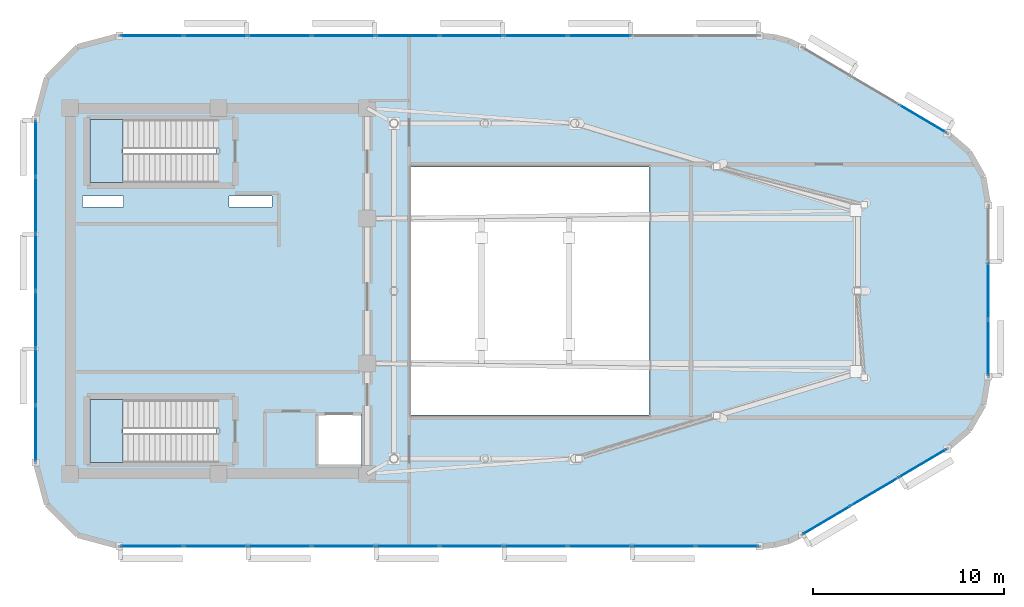
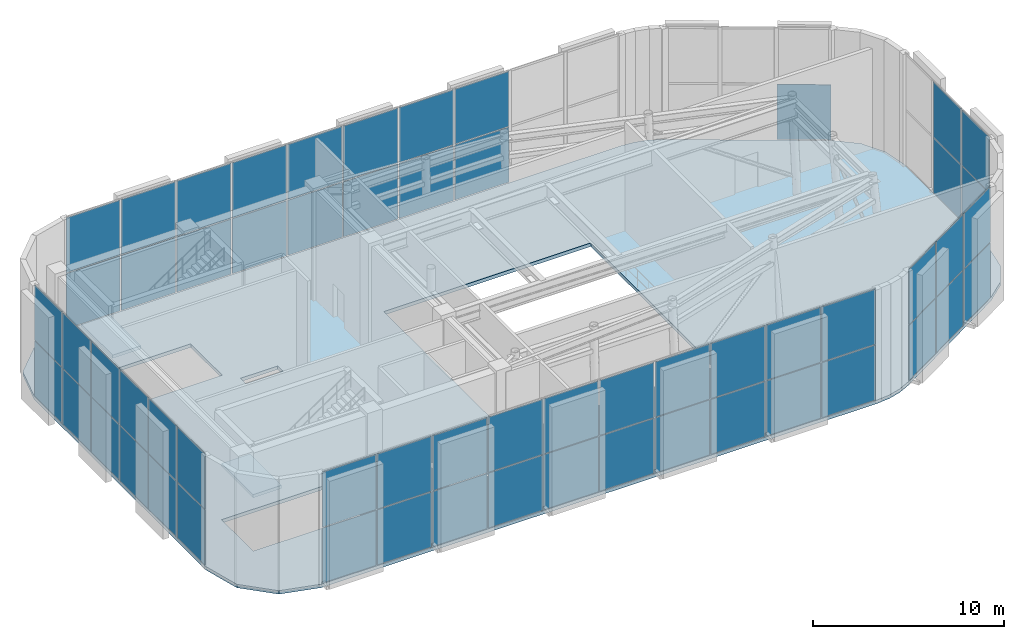
# One storey, part 16 of 20: 59 plates, 3 slabs, 8 elements without a shape of their own.
"""IFC4 building model written with IfcOpenShell, lengths in metres."""

import ifcopenshell
import ifcopenshell.guid

model = None  # the IFC model being written
_history = None  # IfcOwnerHistory: only IFC2X3 demands one
_inside = {}  # id of a spatial element -> (the spatial element, [elements in it])
_under = {}  # id of a project, library or spatial element -> (it, [spatial elements below it])
_declared = {}  # id of a project -> (the project, [libraries it declares])
_typed = {}  # id of a type object -> (the type object, [elements of that type])
_made_of = {}  # id of a material, layer set ... -> (it, [elements and type objects made of it])


def new_model(schema):
    """Start an empty IFC model of exactly this schema.

    Asked for "IFC4X3", IfcOpenShell would pick the latest addendum, in which some entities
    have other attributes; the version numbers below select the first issue.
    IFC2X3 requires an IfcOwnerHistory on every rooted entity: one is made here for all.
    """
    global model, _history
    if schema == "IFC4X3":
        model = ifcopenshell.file(schema_version=(4, 3, 0, 0))
    else:
        model = ifcopenshell.file(schema=schema)
    _inside.clear()
    _under.clear()
    _declared.clear()
    _typed.clear()
    _made_of.clear()
    _history = None
    if model.schema == "IFC2X3":
        org = make("IfcOrganization", Name="unknown")
        user = make(
            "IfcPersonAndOrganization",
            ThePerson=make("IfcPerson", FamilyName="unknown"),
            TheOrganization=org,
        )
        app = make(
            "IfcApplication",
            ApplicationDeveloper=org,
            Version="unknown",
            ApplicationFullName="unknown",
            ApplicationIdentifier="unknown",
        )
        _history = make(
            "IfcOwnerHistory",
            OwningUser=user,
            OwningApplication=app,
            ChangeAction="ADDED",
            CreationDate=0,
        )
    return model


def make(cls, **values):
    """One entity of the class cls with the attributes given. An attribute that is None is left unset."""
    return model.create_entity(
        cls, **{name: value for name, value in values.items() if value is not None}
    )


def rooted(cls, **values):
    """An entity with a GlobalId (a new one), such as an element, a storey or a relation."""
    return make(cls, GlobalId=ifcopenshell.guid.new(), OwnerHistory=_history, **values)


def si_unit(unit_type, name, prefix=None):
    """IfcSIUnit, for example si_unit("LENGTHUNIT", "METRE", prefix="MILLI")."""
    return make("IfcSIUnit", UnitType=unit_type, Prefix=prefix, Name=name)


def assignment(units):
    """IfcUnitAssignment: the units of a project."""
    return None if units is None else make("IfcUnitAssignment", Units=units)


def point(xyz):
    """IfcCartesianPoint."""
    return None if xyz is None else make("IfcCartesianPoint", Coordinates=xyz)


def direction(xyz):
    """IfcDirection."""
    return None if xyz is None else make("IfcDirection", DirectionRatios=xyz)


def frame(location, z_axis=None, x_axis=None):
    """IfcAxis2Placement3D, a coordinate frame: its origin and axes. An axis left out is left unset."""
    return make(
        "IfcAxis2Placement3D",
        Location=point(location),
        Axis=direction(z_axis),
        RefDirection=direction(x_axis),
    )


def frame_2d(location, x_axis=None):
    """IfcAxis2Placement2D, a coordinate frame in the plane: its origin and x axis."""
    return make(
        "IfcAxis2Placement2D", Location=point(location), RefDirection=direction(x_axis)
    )


def origin():
    """The frame at (0, 0, 0) with its axes left unset."""
    return frame((0.0, 0.0, 0.0))


def origin_2d():
    """The frame at (0, 0) in the plane with its x axis left unset."""
    return frame_2d((0.0, 0.0))


def place(relative_to, where):
    """IfcLocalPlacement: puts the frame where relative to a parent placement (None: the world)."""
    return make(
        "IfcLocalPlacement", PlacementRelTo=relative_to, RelativePlacement=where
    )


def context(
    kind, dimensions, precision=None, world=None, true_north=None, identifier=None
):
    """IfcGeometricRepresentationContext, for example the 3D "Model" context."""
    return make(
        "IfcGeometricRepresentationContext",
        ContextIdentifier=identifier,
        ContextType=kind,
        CoordinateSpaceDimension=dimensions,
        Precision=precision,
        WorldCoordinateSystem=world,
        TrueNorth=true_north,
    )


def subcontext(parent, identifier, kind, view, scale=None):
    """IfcGeometricRepresentationSubContext, for example "Body" below "Model"."""
    return make(
        "IfcGeometricRepresentationSubContext",
        ContextIdentifier=identifier,
        ContextType=kind,
        ParentContext=parent,
        TargetScale=scale,
        TargetView=view,
    )


def project(units=None, contexts=None):
    """IfcProject with its units and contexts."""
    return rooted(
        "IfcProject",
        Name="project",
        RepresentationContexts=contexts,
        UnitsInContext=assignment(units),
    )


def spatial(cls, under=None, at=None, **own):
    """A site, building, storey or space (cls), placed at a placement, below another one or the project."""
    s = rooted(cls, ObjectPlacement=at, **own)
    if under is not None:
        _under.setdefault(under.id(), (under, []))[1].append(s)
    return s


def polyline(points):
    """IfcPolyline through the points."""
    return make("IfcPolyline", Points=[point(p) for p in points])


def profile(cls, at=None, kind="AREA", **sizes):
    """A parametric profile (cls). Its sizes go by their IFC names, for example OverallWidth=200.0."""
    return make(cls, ProfileType=kind, Position=at, **sizes)


def rectangle(**sizes):
    """IfcRectangleProfileDef."""
    return profile("IfcRectangleProfileDef", **sizes)


def outline(outer, holes=None, kind="AREA"):
    """IfcArbitraryClosedProfileDef: a profile drawn as a closed curve; with holes, ...WithVoids."""
    if holes is None:
        return make("IfcArbitraryClosedProfileDef", ProfileType=kind, OuterCurve=outer)
    return make(
        "IfcArbitraryProfileDefWithVoids",
        ProfileType=kind,
        OuterCurve=outer,
        InnerCurves=holes,
    )


def extrude(swept, where, along, depth):
    """IfcExtrudedAreaSolid: the profile swept, set in the frame where, extruded along a direction by depth."""
    return make(
        "IfcExtrudedAreaSolid",
        SweptArea=swept,
        Position=where,
        ExtrudedDirection=direction(along),
        Depth=depth,
    )


def shape(context_of_items, identifier, shape_type, items):
    """IfcShapeRepresentation: the items that make up one representation, for example the "Body"."""
    return make(
        "IfcShapeRepresentation",
        ContextOfItems=context_of_items,
        RepresentationIdentifier=identifier,
        RepresentationType=shape_type,
        Items=items,
    )


def material(Name=None, Category=None):
    """IfcMaterial."""
    return make("IfcMaterial", Name=Name, Category=Category)


def layer(
    of_material, thickness, ventilated=None, Name=None, Category=None, Priority=None
):
    """IfcMaterialLayer: one layer of a wall or slab, of a material (None: an air gap)."""
    return make(
        "IfcMaterialLayer",
        Material=of_material,
        LayerThickness=thickness,
        IsVentilated=ventilated,
        Name=Name,
        Category=Category,
        Priority=Priority,
    )


def layer_set(layers, Name=None):
    """IfcMaterialLayerSet."""
    return make("IfcMaterialLayerSet", MaterialLayers=layers, LayerSetName=Name)


def made_of(thing, what):
    """Note that an element or type object is made of a material, layer set ...; save() writes the relation."""
    if what is not None:
        _made_of.setdefault(what.id(), (what, []))[1].append(thing)
    return thing


def type_object(cls, material=None, **own):
    """A type object (cls), such as IfcWallType, which elements share."""
    return made_of(rooted(cls, **own), material)


def element(
    cls,
    number,
    at=None,
    inside=None,
    cuts=None,
    type_object=None,
    material=None,
    context=None,
    identifier="Body",
    shape_type=None,
    held_by="IfcProductDefinitionShape",
    body=None,
    shapes=None,
    **own,
):
    """One element of the class cls, such as IfcWall. Its Tag is "e" and its number.

    at: its placement. inside: the storey or other place that contains it. cuts: it is an
    opening in that element (IfcRelVoidsElement). A single representation is given by context,
    identifier, shape_type and body (its items); several are given by shapes. held_by: the class
    of the entity that holds the representations. save() writes the other relations.
    """
    e = rooted(cls, Tag="e%d" % number, ObjectPlacement=at, **own)
    if body is not None:
        shapes = [shape(context, identifier, shape_type, body)]
    if shapes is not None:
        e.Representation = make(held_by, Representations=shapes)
    if inside is not None:
        _inside.setdefault(inside.id(), (inside, []))[1].append(e)
    if cuts is not None:
        rooted(
            "IfcRelVoidsElement", RelatingBuildingElement=cuts, RelatedOpeningElement=e
        )
    if type_object is not None:
        _typed.setdefault(type_object.id(), (type_object, []))[1].append(e)
    return made_of(e, material)


def aggregate(whole, parts):
    """IfcRelAggregates: a whole, such as a stair, and the parts it consists of."""
    return rooted("IfcRelAggregates", RelatingObject=whole, RelatedObjects=parts)


def save(model, path):
    """Write the relations noted so far, then the file.

    IfcRelAggregates (storeys below a building ...), IfcRelContainedInSpatialStructure (elements
    in a storey), IfcRelDefinesByType, IfcRelAssociatesMaterial and IfcRelDeclares: one each for
    every whole, place, type object, material and project.
    """
    for whole, parts in _under.values():
        aggregate(whole, parts)
    for where, things in _inside.values():
        rooted(
            "IfcRelContainedInSpatialStructure",
            RelatedElements=things,
            RelatingStructure=where,
        )
    for kind, things in _typed.values():
        rooted("IfcRelDefinesByType", RelatedObjects=things, RelatingType=kind)
    for what, things in _made_of.values():
        rooted("IfcRelAssociatesMaterial", RelatedObjects=things, RelatingMaterial=what)
    for by, libraries in _declared.values():
        rooted("IfcRelDeclares", RelatingContext=by, RelatedDefinitions=libraries)
    model.write(path)


model = new_model("IFC4")

# Units and contexts
model_context = context("Model", 3, precision=1e-05, world=origin(), true_north=direction((0.0, 1.0)))
body_context = subcontext(model_context, "Body", "Model", "MODEL_VIEW")
ifc_project = project(units=[si_unit("LENGTHUNIT", "METRE"), si_unit("AREAUNIT", "SQUARE_METRE"), si_unit("VOLUMEUNIT", "CUBIC_METRE"), si_unit("PLANEANGLEUNIT", "RADIAN"), si_unit("MASSUNIT", "GRAM", prefix="KILO")], contexts=[model_context])

# Site, building, storey
site_placement = place(None, origin())
site = spatial("IfcSite", under=ifc_project, at=site_placement, CompositionType="ELEMENT")
building_placement = place(site_placement, origin())
building = spatial("IfcBuilding", under=site, at=building_placement, Name="An Khanh Terracotta Commons", CompositionType="ELEMENT")
storey_placement = place(building_placement, frame((0.0, 0.0, 308.0)))
storey = spatial("IfcBuildingStorey", under=building, at=storey_placement, Name="L79 Crown Damper Gallery", CompositionType="ELEMENT", Elevation=308.0)

# Curtain wall, plates
ifc_material_1 = material(Name="Anodised Aluminium 6063-T6", Category="aluminium")
ifc_layer_1 = layer(ifc_material_1, 0.25, Name="Anodised Aluminium 6063-T6")
ifc_layer_set_1 = layer_set([ifc_layer_1], Name="Anodised Aluminium 6063-T6")
curtain_wall_type = type_object("IfcCurtainWallType", Name="CW-SYS-05", PredefinedType="USERDEFINED", material=ifc_layer_set_1)
curtain_wall_1_placement = place(storey_placement, origin())
curtain_wall_1 = element("IfcCurtainWall", 1, at=curtain_wall_1_placement, inside=storey, type_object=curtain_wall_type, Name="L79 Crown Damper Gallery CW-05 Unitised Curtain Wall CW-L79-04", ObjectType="UNITISED CURTAIN WALL", PredefinedType="USERDEFINED")
ifc_material_2 = material(Name="Translucent Backlit Opal Insulated Glass", Category="glass")
ifc_layer_2 = layer(ifc_material_2, 0.0439453125, Name="Translucent Backlit Opal Insulated Glass")
ifc_layer_set_2 = layer_set([ifc_layer_2], Name="Translucent Backlit Opal Insulated Glass")
plate_type = type_object("IfcPlateType", Name="CWP-OPAL-44", PredefinedType="CURTAIN_PANEL", material=ifc_layer_set_2)
plate_1_placement = place(storey_placement, frame((25.899658203125, 10.60009765625, 0.06005859375), z_axis=(0.0, 0.0, 1.0), x_axis=(1.0, 0.0, 0.0)))
plate_1 = element("IfcPlate", 2, at=plate_1_placement, type_object=plate_type, Name="CW-05 panel 1.1", PredefinedType="CURTAIN_PANEL", context=body_context, shape_type="SweptSolid", body=[
    extrude(rectangle(XDim=3.239501953125, YDim=0.0439453125, at=origin_2d()), origin(), (0.0, 0.0, 1.0), 3.510009765625),
])
plate_2_placement = place(storey_placement, frame((25.899658203125, 10.60009765625, 3.6298828125), z_axis=(0.0, 0.0, 1.0), x_axis=(1.0, 0.0, 0.0)))
plate_2 = element("IfcPlate", 3, at=plate_2_placement, type_object=plate_type, Name="CW-05 panel 1.2", PredefinedType="CURTAIN_PANEL", context=body_context, shape_type="SweptSolid", body=[
    extrude(rectangle(XDim=3.239501953125, YDim=0.0439453125, at=origin_2d()), origin(), (0.0, 0.0, 1.0), 3.510009765625),
])
plate_3_placement = place(storey_placement, frame((29.239013671875, 10.60009765625, 0.06005859375), z_axis=(0.0, 0.0, 1.0), x_axis=(1.0, 0.0, 0.0)))
plate_3 = element("IfcPlate", 4, at=plate_3_placement, type_object=plate_type, Name="CW-05 panel 2.1", PredefinedType="CURTAIN_PANEL", context=body_context, shape_type="SweptSolid", body=[
    extrude(rectangle(XDim=3.279296875, YDim=0.0439453125, at=origin_2d()), origin(), (0.0, 0.0, 1.0), 3.510009765625),
])
plate_4_placement = place(storey_placement, frame((29.239013671875, 10.60009765625, 3.6298828125), z_axis=(0.0, 0.0, 1.0), x_axis=(1.0, 0.0, 0.0)))
plate_4 = element("IfcPlate", 5, at=plate_4_placement, type_object=plate_type, Name="CW-05 panel 2.2", PredefinedType="CURTAIN_PANEL", context=body_context, shape_type="SweptSolid", body=[
    extrude(rectangle(XDim=3.279296875, YDim=0.0439453125, at=origin_2d()), origin(), (0.0, 0.0, 1.0), 3.510009765625),
])
plate_5_placement = place(storey_placement, frame((32.598388671875, 10.60009765625, 0.06005859375), z_axis=(0.0, 0.0, 1.0), x_axis=(1.0, 0.0, 0.0)))
plate_5 = element("IfcPlate", 6, at=plate_5_placement, type_object=plate_type, Name="CW-05 panel 3.1", PredefinedType="CURTAIN_PANEL", context=body_context, shape_type="SweptSolid", body=[
    extrude(rectangle(XDim=3.279296875, YDim=0.0439453125, at=origin_2d()), origin(), (0.0, 0.0, 1.0), 3.510009765625),
])
plate_6_placement = place(storey_placement, frame((32.598388671875, 10.60009765625, 3.6298828125), z_axis=(0.0, 0.0, 1.0), x_axis=(1.0, 0.0, 0.0)))
plate_6 = element("IfcPlate", 7, at=plate_6_placement, type_object=plate_type, Name="CW-05 panel 3.2", PredefinedType="CURTAIN_PANEL", context=body_context, shape_type="SweptSolid", body=[
    extrude(rectangle(XDim=3.279296875, YDim=0.0439453125, at=origin_2d()), origin(), (0.0, 0.0, 1.0), 3.510009765625),
])
plate_7_placement = place(storey_placement, frame((35.9580078125, 10.60009765625, 0.06005859375), z_axis=(0.0, 0.0, 1.0), x_axis=(1.0, 0.0, 0.0)))
plate_7 = element("IfcPlate", 8, at=plate_7_placement, type_object=plate_type, Name="CW-05 panel 4.1", PredefinedType="CURTAIN_PANEL", context=body_context, shape_type="SweptSolid", body=[
    extrude(rectangle(XDim=3.279296875, YDim=0.0439453125, at=origin_2d()), origin(), (0.0, 0.0, 1.0), 3.510009765625),
])
plate_8_placement = place(storey_placement, frame((35.9580078125, 10.60009765625, 3.6298828125), z_axis=(0.0, 0.0, 1.0), x_axis=(1.0, 0.0, 0.0)))
plate_8 = element("IfcPlate", 9, at=plate_8_placement, type_object=plate_type, Name="CW-05 panel 4.2", PredefinedType="CURTAIN_PANEL", context=body_context, shape_type="SweptSolid", body=[
    extrude(rectangle(XDim=3.279296875, YDim=0.0439453125, at=origin_2d()), origin(), (0.0, 0.0, 1.0), 3.510009765625),
])
plate_9_placement = place(storey_placement, frame((39.3173828125, 10.60009765625, 0.06005859375), z_axis=(0.0, 0.0, 1.0), x_axis=(1.0, 0.0, 0.0)))
plate_9 = element("IfcPlate", 10, at=plate_9_placement, type_object=plate_type, Name="CW-05 panel 5.1", PredefinedType="CURTAIN_PANEL", context=body_context, shape_type="SweptSolid", body=[
    extrude(rectangle(XDim=3.279296875, YDim=0.0439453125, at=origin_2d()), origin(), (0.0, 0.0, 1.0), 3.510009765625),
])
plate_10_placement = place(storey_placement, frame((39.3173828125, 10.60009765625, 3.6298828125), z_axis=(0.0, 0.0, 1.0), x_axis=(1.0, 0.0, 0.0)))
plate_10 = element("IfcPlate", 11, at=plate_10_placement, type_object=plate_type, Name="CW-05 panel 5.2", PredefinedType="CURTAIN_PANEL", context=body_context, shape_type="SweptSolid", body=[
    extrude(rectangle(XDim=3.279296875, YDim=0.0439453125, at=origin_2d()), origin(), (0.0, 0.0, 1.0), 3.510009765625),
])
plate_11_placement = place(storey_placement, frame((42.6767578125, 10.60009765625, 0.06005859375), z_axis=(0.0, 0.0, 1.0), x_axis=(1.0, 0.0, 0.0)))
plate_11 = element("IfcPlate", 12, at=plate_11_placement, type_object=plate_type, Name="CW-05 panel 6.1", PredefinedType="CURTAIN_PANEL", context=body_context, shape_type="SweptSolid", body=[
    extrude(rectangle(XDim=3.279296875, YDim=0.0439453125, at=origin_2d()), origin(), (0.0, 0.0, 1.0), 3.510009765625),
])
plate_12_placement = place(storey_placement, frame((42.6767578125, 10.60009765625, 3.6298828125), z_axis=(0.0, 0.0, 1.0), x_axis=(1.0, 0.0, 0.0)))
plate_12 = element("IfcPlate", 13, at=plate_12_placement, type_object=plate_type, Name="CW-05 panel 6.2", PredefinedType="CURTAIN_PANEL", context=body_context, shape_type="SweptSolid", body=[
    extrude(rectangle(XDim=3.279296875, YDim=0.0439453125, at=origin_2d()), origin(), (0.0, 0.0, 1.0), 3.510009765625),
])
plate_13_placement = place(storey_placement, frame((46.0361328125, 10.60009765625, 0.06005859375), z_axis=(0.0, 0.0, 1.0), x_axis=(1.0, 0.0, 0.0)))
plate_13 = element("IfcPlate", 14, at=plate_13_placement, type_object=plate_type, Name="CW-05 panel 7.1", PredefinedType="CURTAIN_PANEL", context=body_context, shape_type="SweptSolid", body=[
    extrude(rectangle(XDim=3.279296875, YDim=0.0439453125, at=origin_2d()), origin(), (0.0, 0.0, 1.0), 3.510009765625),
])
plate_14_placement = place(storey_placement, frame((46.0361328125, 10.60009765625, 3.6298828125), z_axis=(0.0, 0.0, 1.0), x_axis=(1.0, 0.0, 0.0)))
plate_14 = element("IfcPlate", 15, at=plate_14_placement, type_object=plate_type, Name="CW-05 panel 7.2", PredefinedType="CURTAIN_PANEL", context=body_context, shape_type="SweptSolid", body=[
    extrude(rectangle(XDim=3.279296875, YDim=0.0439453125, at=origin_2d()), origin(), (0.0, 0.0, 1.0), 3.510009765625),
])
plate_15_placement = place(storey_placement, frame((49.3955078125, 10.60009765625, 0.06005859375), z_axis=(0.0, 0.0, 1.0), x_axis=(1.0, 0.0, 0.0)))
plate_15 = element("IfcPlate", 16, at=plate_15_placement, type_object=plate_type, Name="CW-05 panel 8.1", PredefinedType="CURTAIN_PANEL", context=body_context, shape_type="SweptSolid", body=[
    extrude(rectangle(XDim=3.279296875, YDim=0.0439453125, at=origin_2d()), origin(), (0.0, 0.0, 1.0), 3.510009765625),
])
plate_16_placement = place(storey_placement, frame((49.3955078125, 10.60009765625, 3.6298828125), z_axis=(0.0, 0.0, 1.0), x_axis=(1.0, 0.0, 0.0)))
plate_16 = element("IfcPlate", 17, at=plate_16_placement, type_object=plate_type, Name="CW-05 panel 8.2", PredefinedType="CURTAIN_PANEL", context=body_context, shape_type="SweptSolid", body=[
    extrude(rectangle(XDim=3.279296875, YDim=0.0439453125, at=origin_2d()), origin(), (0.0, 0.0, 1.0), 3.510009765625),
])
plate_17_placement = place(storey_placement, frame((52.7548828125, 10.60009765625, 0.06005859375), z_axis=(0.0, 0.0, 1.0), x_axis=(1.0, 0.0, 0.0)))
plate_17 = element("IfcPlate", 18, at=plate_17_placement, type_object=plate_type, Name="CW-05 panel 9.1", PredefinedType="CURTAIN_PANEL", context=body_context, shape_type="SweptSolid", body=[
    extrude(rectangle(XDim=3.279296875, YDim=0.0439453125, at=origin_2d()), origin(), (0.0, 0.0, 1.0), 3.510009765625),
])
plate_18_placement = place(storey_placement, frame((52.7548828125, 10.60009765625, 3.6298828125), z_axis=(0.0, 0.0, 1.0), x_axis=(1.0, 0.0, 0.0)))
plate_18 = element("IfcPlate", 19, at=plate_18_placement, type_object=plate_type, Name="CW-05 panel 9.2", PredefinedType="CURTAIN_PANEL", context=body_context, shape_type="SweptSolid", body=[
    extrude(rectangle(XDim=3.279296875, YDim=0.0439453125, at=origin_2d()), origin(), (0.0, 0.0, 1.0), 3.510009765625),
])
plate_19_placement = place(storey_placement, frame((56.09423828125, 10.60009765625, 0.06005859375), z_axis=(0.0, 0.0, 1.0), x_axis=(1.0, 0.0, 0.0)))
plate_19 = element("IfcPlate", 20, at=plate_19_placement, type_object=plate_type, Name="CW-05 panel 10.1", PredefinedType="CURTAIN_PANEL", context=body_context, shape_type="SweptSolid", body=[
    extrude(rectangle(XDim=3.239501953125, YDim=0.0439453125, at=origin_2d()), origin(), (0.0, 0.0, 1.0), 3.510009765625),
])
plate_20_placement = place(storey_placement, frame((56.09423828125, 10.60009765625, 3.6298828125), z_axis=(0.0, 0.0, 1.0), x_axis=(1.0, 0.0, 0.0)))
plate_20 = element("IfcPlate", 21, at=plate_20_placement, type_object=plate_type, Name="CW-05 panel 10.2", PredefinedType="CURTAIN_PANEL", context=body_context, shape_type="SweptSolid", body=[
    extrude(rectangle(XDim=3.239501953125, YDim=0.0439453125, at=origin_2d()), origin(), (0.0, 0.0, 1.0), 3.510009765625),
])
aggregate(curtain_wall_1, [plate_1, plate_2, plate_3, plate_4, plate_5, plate_6, plate_7, plate_8, plate_9, plate_10, plate_11, plate_12, plate_13, plate_14, plate_15, plate_16, plate_17, plate_18, plate_19, plate_20])

curtain_wall_2_placement = place(storey_placement, origin())
curtain_wall_2 = element("IfcCurtainWall", 22, at=curtain_wall_2_placement, inside=storey, type_object=curtain_wall_type, Name="L79 Crown Damper Gallery CW-05 Unitised Curtain Wall CW-L79-08", ObjectType="UNITISED CURTAIN WALL", PredefinedType="USERDEFINED")
plate_21_placement = place(storey_placement, frame((61.32177734375, 11.976318359375, 0.06005859375), z_axis=(0.0, 0.0, 1.0), x_axis=(0.860304394443, 0.509780687063, 0.0)))
plate_21 = element("IfcPlate", 23, at=plate_21_placement, type_object=plate_type, Name="CW-05 panel 1.1", PredefinedType="CURTAIN_PANEL", context=body_context, shape_type="SweptSolid", body=[
    extrude(rectangle(XDim=2.826904296875, YDim=0.0439453125, at=origin_2d()), origin(), (0.0, 0.0, 1.0), 3.510009765625),
])
plate_22_placement = place(storey_placement, frame((61.32177734375, 11.976318359375, 3.6298828125), z_axis=(0.0, 0.0, 1.0), x_axis=(0.860304394443, 0.509780687063, 0.0)))
plate_22 = element("IfcPlate", 24, at=plate_22_placement, type_object=plate_type, Name="CW-05 panel 1.2", PredefinedType="CURTAIN_PANEL", context=body_context, shape_type="SweptSolid", body=[
    extrude(rectangle(XDim=2.826904296875, YDim=0.0439453125, at=origin_2d()), origin(), (0.0, 0.0, 1.0), 3.510009765625),
])
plate_23_placement = place(storey_placement, frame((63.840087890625, 13.468505859375, 0.06005859375), z_axis=(0.0, 0.0, 1.0), x_axis=(0.860304394443, 0.509780687063, 0.0)))
plate_23 = element("IfcPlate", 25, at=plate_23_placement, type_object=plate_type, Name="CW-05 panel 2.1", PredefinedType="CURTAIN_PANEL", context=body_context, shape_type="SweptSolid", body=[
    extrude(rectangle(XDim=2.866943359375, YDim=0.0439453125, at=origin_2d()), origin(), (0.0, 0.0, 1.0), 3.510009765625),
])
plate_24_placement = place(storey_placement, frame((63.840087890625, 13.468505859375, 3.6298828125), z_axis=(0.0, 0.0, 1.0), x_axis=(0.860304394443, 0.509780687063, 0.0)))
plate_24 = element("IfcPlate", 26, at=plate_24_placement, type_object=plate_type, Name="CW-05 panel 2.2", PredefinedType="CURTAIN_PANEL", context=body_context, shape_type="SweptSolid", body=[
    extrude(rectangle(XDim=2.866943359375, YDim=0.0439453125, at=origin_2d()), origin(), (0.0, 0.0, 1.0), 3.510009765625),
])
plate_25_placement = place(storey_placement, frame((66.358154296875, 14.960693359375, 0.06005859375), z_axis=(0.0, 0.0, 1.0), x_axis=(0.860304394443, 0.509780687063, 0.0)))
plate_25 = element("IfcPlate", 27, at=plate_25_placement, type_object=plate_type, Name="CW-05 panel 3.1", PredefinedType="CURTAIN_PANEL", context=body_context, shape_type="SweptSolid", body=[
    extrude(rectangle(XDim=2.826904296875, YDim=0.0439453125, at=origin_2d()), origin(), (0.0, 0.0, 1.0), 3.510009765625),
])
plate_26_placement = place(storey_placement, frame((66.358154296875, 14.960693359375, 3.6298828125), z_axis=(0.0, 0.0, 1.0), x_axis=(0.860304394443, 0.509780687063, 0.0)))
plate_26 = element("IfcPlate", 28, at=plate_26_placement, type_object=plate_type, Name="CW-05 panel 3.2", PredefinedType="CURTAIN_PANEL", context=body_context, shape_type="SweptSolid", body=[
    extrude(rectangle(XDim=2.826904296875, YDim=0.0439453125, at=origin_2d()), origin(), (0.0, 0.0, 1.0), 3.510009765625),
])
aggregate(curtain_wall_2, [plate_21, plate_22, plate_23, plate_24, plate_25, plate_26])

curtain_wall_3_placement = place(storey_placement, origin())
curtain_wall_3 = element("IfcCurtainWall", 29, at=curtain_wall_3_placement, inside=storey, type_object=curtain_wall_type, Name="L79 Crown Damper Gallery CW-05 Unitised Curtain Wall CW-L79-12", ObjectType="UNITISED CURTAIN WALL", PredefinedType="USERDEFINED")
plate_27_placement = place(storey_placement, frame((69.800048828125, 21.024658203125, 0.06005859375), z_axis=(0.0, 0.0, 1.0), x_axis=(0.0, 1.0, 0.0)))
plate_27 = element("IfcPlate", 30, at=plate_27_placement, type_object=plate_type, Name="CW-05 panel 1.1", PredefinedType="CURTAIN_PANEL", context=body_context, shape_type="SweptSolid", body=[
    extrude(rectangle(XDim=2.875244140625, YDim=0.0439453125, at=origin_2d()), origin(), (0.0, 0.0, 1.0), 3.510009765625),
])
plate_28_placement = place(storey_placement, frame((69.800048828125, 21.024658203125, 3.6298828125), z_axis=(0.0, 0.0, 1.0), x_axis=(0.0, 1.0, 0.0)))
plate_28 = element("IfcPlate", 31, at=plate_28_placement, type_object=plate_type, Name="CW-05 panel 1.2", PredefinedType="CURTAIN_PANEL", context=body_context, shape_type="SweptSolid", body=[
    extrude(rectangle(XDim=2.875244140625, YDim=0.0439453125, at=origin_2d()), origin(), (0.0, 0.0, 1.0), 3.510009765625),
])
plate_29_placement = place(storey_placement, frame((69.800048828125, 24.0, 0.06005859375), z_axis=(0.0, 0.0, 1.0), x_axis=(0.0, 1.0, 0.0)))
plate_29 = element("IfcPlate", 32, at=plate_29_placement, type_object=plate_type, Name="CW-05 panel 2.1", PredefinedType="CURTAIN_PANEL", context=body_context, shape_type="SweptSolid", body=[
    extrude(rectangle(XDim=2.915283203125, YDim=0.0439453125, at=origin_2d()), origin(), (0.0, 0.0, 1.0), 3.510009765625),
])
plate_30_placement = place(storey_placement, frame((69.800048828125, 24.0, 3.6298828125), z_axis=(0.0, 0.0, 1.0), x_axis=(0.0, 1.0, 0.0)))
plate_30 = element("IfcPlate", 33, at=plate_30_placement, type_object=plate_type, Name="CW-05 panel 2.2", PredefinedType="CURTAIN_PANEL", context=body_context, shape_type="SweptSolid", body=[
    extrude(rectangle(XDim=2.915283203125, YDim=0.0439453125, at=origin_2d()), origin(), (0.0, 0.0, 1.0), 3.510009765625),
])
aggregate(curtain_wall_3, [plate_27, plate_28, plate_29, plate_30])

# Curtain wall, plate
curtain_wall_4_placement = place(storey_placement, origin())
curtain_wall_4 = element("IfcCurtainWall", 34, at=curtain_wall_4_placement, inside=storey, type_object=curtain_wall_type, Name="L79 Crown Damper Gallery CW-05 Unitised Curtain Wall CW-L79-16", ObjectType="UNITISED CURTAIN WALL", PredefinedType="USERDEFINED")
plate_31_placement = place(storey_placement, frame((66.358154296875, 33.039306640625, 0.06005859375), z_axis=(0.0, 0.0, 1.0), x_axis=(-0.860304394443, 0.509780687063, 0.0)))
plate_31 = element("IfcPlate", 35, at=plate_31_placement, type_object=plate_type, Name="CW-05 panel 1.1", PredefinedType="CURTAIN_PANEL", context=body_context, shape_type="SweptSolid", body=[
    extrude(rectangle(XDim=2.826904296875, YDim=0.0439453125, at=origin_2d()), origin(), (0.0, 0.0, 1.0), 3.510009765625),
])
aggregate(curtain_wall_4, [plate_31])

# Curtain wall, plates
curtain_wall_5_placement = place(storey_placement, origin())
curtain_wall_5 = element("IfcCurtainWall", 36, at=curtain_wall_5_placement, inside=storey, type_object=curtain_wall_type, Name="L79 Crown Damper Gallery CW-05 Unitised Curtain Wall CW-L79-20", ObjectType="UNITISED CURTAIN WALL", PredefinedType="USERDEFINED")
plate_32_placement = place(storey_placement, frame((49.3955078125, 37.39990234375, 0.06005859375), z_axis=(0.0, 0.0, 1.0), x_axis=(-1.0, 0.0, 0.0)))
plate_32 = element("IfcPlate", 37, at=plate_32_placement, type_object=plate_type, Name="CW-05 panel 3.1", PredefinedType="CURTAIN_PANEL", context=body_context, shape_type="SweptSolid", body=[
    extrude(rectangle(XDim=3.279296875, YDim=0.0439453125, at=origin_2d()), origin(), (0.0, 0.0, 1.0), 3.510009765625),
])
plate_33_placement = place(storey_placement, frame((49.3955078125, 37.39990234375, 3.6298828125), z_axis=(0.0, 0.0, 1.0), x_axis=(-1.0, 0.0, 0.0)))
plate_33 = element("IfcPlate", 38, at=plate_33_placement, type_object=plate_type, Name="CW-05 panel 3.2", PredefinedType="CURTAIN_PANEL", context=body_context, shape_type="SweptSolid", body=[
    extrude(rectangle(XDim=3.279296875, YDim=0.0439453125, at=origin_2d()), origin(), (0.0, 0.0, 1.0), 3.510009765625),
])
plate_34_placement = place(storey_placement, frame((46.0361328125, 37.39990234375, 0.06005859375), z_axis=(0.0, 0.0, 1.0), x_axis=(-1.0, 0.0, 0.0)))
plate_34 = element("IfcPlate", 39, at=plate_34_placement, type_object=plate_type, Name="CW-05 panel 4.1", PredefinedType="CURTAIN_PANEL", context=body_context, shape_type="SweptSolid", body=[
    extrude(rectangle(XDim=3.279296875, YDim=0.0439453125, at=origin_2d()), origin(), (0.0, 0.0, 1.0), 3.510009765625),
])
plate_35_placement = place(storey_placement, frame((46.0361328125, 37.39990234375, 3.6298828125), z_axis=(0.0, 0.0, 1.0), x_axis=(-1.0, 0.0, 0.0)))
plate_35 = element("IfcPlate", 40, at=plate_35_placement, type_object=plate_type, Name="CW-05 panel 4.2", PredefinedType="CURTAIN_PANEL", context=body_context, shape_type="SweptSolid", body=[
    extrude(rectangle(XDim=3.279296875, YDim=0.0439453125, at=origin_2d()), origin(), (0.0, 0.0, 1.0), 3.510009765625),
])
plate_36_placement = place(storey_placement, frame((42.6767578125, 37.39990234375, 0.06005859375), z_axis=(0.0, 0.0, 1.0), x_axis=(-1.0, 0.0, 0.0)))
plate_36 = element("IfcPlate", 41, at=plate_36_placement, type_object=plate_type, Name="CW-05 panel 5.1", PredefinedType="CURTAIN_PANEL", context=body_context, shape_type="SweptSolid", body=[
    extrude(rectangle(XDim=3.279296875, YDim=0.0439453125, at=origin_2d()), origin(), (0.0, 0.0, 1.0), 3.510009765625),
])
plate_37_placement = place(storey_placement, frame((42.6767578125, 37.39990234375, 3.6298828125), z_axis=(0.0, 0.0, 1.0), x_axis=(-1.0, 0.0, 0.0)))
plate_37 = element("IfcPlate", 42, at=plate_37_placement, type_object=plate_type, Name="CW-05 panel 5.2", PredefinedType="CURTAIN_PANEL", context=body_context, shape_type="SweptSolid", body=[
    extrude(rectangle(XDim=3.279296875, YDim=0.0439453125, at=origin_2d()), origin(), (0.0, 0.0, 1.0), 3.510009765625),
])
plate_38_placement = place(storey_placement, frame((39.3173828125, 37.39990234375, 0.06005859375), z_axis=(0.0, 0.0, 1.0), x_axis=(-1.0, 0.0, 0.0)))
plate_38 = element("IfcPlate", 43, at=plate_38_placement, type_object=plate_type, Name="CW-05 panel 6.1", PredefinedType="CURTAIN_PANEL", context=body_context, shape_type="SweptSolid", body=[
    extrude(rectangle(XDim=3.279296875, YDim=0.0439453125, at=origin_2d()), origin(), (0.0, 0.0, 1.0), 3.510009765625),
])
plate_39_placement = place(storey_placement, frame((39.3173828125, 37.39990234375, 3.6298828125), z_axis=(0.0, 0.0, 1.0), x_axis=(-1.0, 0.0, 0.0)))
plate_39 = element("IfcPlate", 44, at=plate_39_placement, type_object=plate_type, Name="CW-05 panel 6.2", PredefinedType="CURTAIN_PANEL", context=body_context, shape_type="SweptSolid", body=[
    extrude(rectangle(XDim=3.279296875, YDim=0.0439453125, at=origin_2d()), origin(), (0.0, 0.0, 1.0), 3.510009765625),
])
plate_40_placement = place(storey_placement, frame((35.9580078125, 37.39990234375, 0.06005859375), z_axis=(0.0, 0.0, 1.0), x_axis=(-1.0, 0.0, 0.0)))
plate_40 = element("IfcPlate", 45, at=plate_40_placement, type_object=plate_type, Name="CW-05 panel 7.1", PredefinedType="CURTAIN_PANEL", context=body_context, shape_type="SweptSolid", body=[
    extrude(rectangle(XDim=3.279296875, YDim=0.0439453125, at=origin_2d()), origin(), (0.0, 0.0, 1.0), 3.510009765625),
])
plate_41_placement = place(storey_placement, frame((35.9580078125, 37.39990234375, 3.6298828125), z_axis=(0.0, 0.0, 1.0), x_axis=(-1.0, 0.0, 0.0)))
plate_41 = element("IfcPlate", 46, at=plate_41_placement, type_object=plate_type, Name="CW-05 panel 7.2", PredefinedType="CURTAIN_PANEL", context=body_context, shape_type="SweptSolid", body=[
    extrude(rectangle(XDim=3.279296875, YDim=0.0439453125, at=origin_2d()), origin(), (0.0, 0.0, 1.0), 3.510009765625),
])
plate_42_placement = place(storey_placement, frame((32.598388671875, 37.39990234375, 0.06005859375), z_axis=(0.0, 0.0, 1.0), x_axis=(-1.0, 0.0, 0.0)))
plate_42 = element("IfcPlate", 47, at=plate_42_placement, type_object=plate_type, Name="CW-05 panel 8.1", PredefinedType="CURTAIN_PANEL", context=body_context, shape_type="SweptSolid", body=[
    extrude(rectangle(XDim=3.279296875, YDim=0.0439453125, at=origin_2d()), origin(), (0.0, 0.0, 1.0), 3.510009765625),
])
plate_43_placement = place(storey_placement, frame((32.598388671875, 37.39990234375, 3.6298828125), z_axis=(0.0, 0.0, 1.0), x_axis=(-1.0, 0.0, 0.0)))
plate_43 = element("IfcPlate", 48, at=plate_43_placement, type_object=plate_type, Name="CW-05 panel 8.2", PredefinedType="CURTAIN_PANEL", context=body_context, shape_type="SweptSolid", body=[
    extrude(rectangle(XDim=3.279296875, YDim=0.0439453125, at=origin_2d()), origin(), (0.0, 0.0, 1.0), 3.510009765625),
])
plate_44_placement = place(storey_placement, frame((29.239013671875, 37.39990234375, 0.06005859375), z_axis=(0.0, 0.0, 1.0), x_axis=(-1.0, 0.0, 0.0)))
plate_44 = element("IfcPlate", 49, at=plate_44_placement, type_object=plate_type, Name="CW-05 panel 9.1", PredefinedType="CURTAIN_PANEL", context=body_context, shape_type="SweptSolid", body=[
    extrude(rectangle(XDim=3.279296875, YDim=0.0439453125, at=origin_2d()), origin(), (0.0, 0.0, 1.0), 3.510009765625),
])
plate_45_placement = place(storey_placement, frame((29.239013671875, 37.39990234375, 3.6298828125), z_axis=(0.0, 0.0, 1.0), x_axis=(-1.0, 0.0, 0.0)))
plate_45 = element("IfcPlate", 50, at=plate_45_placement, type_object=plate_type, Name="CW-05 panel 9.2", PredefinedType="CURTAIN_PANEL", context=body_context, shape_type="SweptSolid", body=[
    extrude(rectangle(XDim=3.279296875, YDim=0.0439453125, at=origin_2d()), origin(), (0.0, 0.0, 1.0), 3.510009765625),
])
plate_46_placement = place(storey_placement, frame((25.899658203125, 37.39990234375, 0.06005859375), z_axis=(0.0, 0.0, 1.0), x_axis=(-1.0, 0.0, 0.0)))
plate_46 = element("IfcPlate", 51, at=plate_46_placement, type_object=plate_type, Name="CW-05 panel 10.1", PredefinedType="CURTAIN_PANEL", context=body_context, shape_type="SweptSolid", body=[
    extrude(rectangle(XDim=3.239501953125, YDim=0.0439453125, at=origin_2d()), origin(), (0.0, 0.0, 1.0), 3.510009765625),
])
plate_47_placement = place(storey_placement, frame((25.899658203125, 37.39990234375, 3.6298828125), z_axis=(0.0, 0.0, 1.0), x_axis=(-1.0, 0.0, 0.0)))
plate_47 = element("IfcPlate", 52, at=plate_47_placement, type_object=plate_type, Name="CW-05 panel 10.2", PredefinedType="CURTAIN_PANEL", context=body_context, shape_type="SweptSolid", body=[
    extrude(rectangle(XDim=3.239501953125, YDim=0.0439453125, at=origin_2d()), origin(), (0.0, 0.0, 1.0), 3.510009765625),
])
aggregate(curtain_wall_5, [plate_32, plate_33, plate_34, plate_35, plate_36, plate_37, plate_38, plate_39, plate_40, plate_41, plate_42, plate_43, plate_44, plate_45, plate_46, plate_47])

curtain_wall_6_placement = place(storey_placement, origin())
curtain_wall_6 = element("IfcCurtainWall", 53, at=curtain_wall_6_placement, inside=storey, type_object=curtain_wall_type, Name="L79 Crown Damper Gallery CW-05 Unitised Curtain Wall CW-L79-24", ObjectType="UNITISED CURTAIN WALL", PredefinedType="USERDEFINED")
plate_48_placement = place(storey_placement, frame((19.800048828125, 31.47998046875, 0.06005859375), z_axis=(0.0, 0.0, 1.0), x_axis=(0.0, -1.0, 0.0)))
plate_48 = element("IfcPlate", 54, at=plate_48_placement, type_object=plate_type, Name="CW-05 panel 1.1", PredefinedType="CURTAIN_PANEL", context=body_context, shape_type="SweptSolid", body=[
    extrude(rectangle(XDim=2.8798828125, YDim=0.0439453125, at=origin_2d()), origin(), (0.0, 0.0, 1.0), 3.510009765625),
])
plate_49_placement = place(storey_placement, frame((19.800048828125, 31.47998046875, 3.6298828125), z_axis=(0.0, 0.0, 1.0), x_axis=(0.0, -1.0, 0.0)))
plate_49 = element("IfcPlate", 55, at=plate_49_placement, type_object=plate_type, Name="CW-05 panel 1.2", PredefinedType="CURTAIN_PANEL", context=body_context, shape_type="SweptSolid", body=[
    extrude(rectangle(XDim=2.8798828125, YDim=0.0439453125, at=origin_2d()), origin(), (0.0, 0.0, 1.0), 3.510009765625),
])
plate_50_placement = place(storey_placement, frame((19.800048828125, 28.5, 0.06005859375), z_axis=(0.0, 0.0, 1.0), x_axis=(0.0, -1.0, 0.0)))
plate_50 = element("IfcPlate", 56, at=plate_50_placement, type_object=plate_type, Name="CW-05 panel 2.1", PredefinedType="CURTAIN_PANEL", context=body_context, shape_type="SweptSolid", body=[
    extrude(rectangle(XDim=2.919921875, YDim=0.0439453125, at=origin_2d()), origin(), (0.0, 0.0, 1.0), 3.510009765625),
])
plate_51_placement = place(storey_placement, frame((19.800048828125, 28.5, 3.6298828125), z_axis=(0.0, 0.0, 1.0), x_axis=(0.0, -1.0, 0.0)))
plate_51 = element("IfcPlate", 57, at=plate_51_placement, type_object=plate_type, Name="CW-05 panel 2.2", PredefinedType="CURTAIN_PANEL", context=body_context, shape_type="SweptSolid", body=[
    extrude(rectangle(XDim=2.919921875, YDim=0.0439453125, at=origin_2d()), origin(), (0.0, 0.0, 1.0), 3.510009765625),
])
plate_52_placement = place(storey_placement, frame((19.800048828125, 25.5, 0.06005859375), z_axis=(0.0, 0.0, 1.0), x_axis=(0.0, -1.0, 0.0)))
plate_52 = element("IfcPlate", 58, at=plate_52_placement, type_object=plate_type, Name="CW-05 panel 3.1", PredefinedType="CURTAIN_PANEL", context=body_context, shape_type="SweptSolid", body=[
    extrude(rectangle(XDim=2.919921875, YDim=0.0439453125, at=origin_2d()), origin(), (0.0, 0.0, 1.0), 3.510009765625),
])
plate_53_placement = place(storey_placement, frame((19.800048828125, 25.5, 3.6298828125), z_axis=(0.0, 0.0, 1.0), x_axis=(0.0, -1.0, 0.0)))
plate_53 = element("IfcPlate", 59, at=plate_53_placement, type_object=plate_type, Name="CW-05 panel 3.2", PredefinedType="CURTAIN_PANEL", context=body_context, shape_type="SweptSolid", body=[
    extrude(rectangle(XDim=2.919921875, YDim=0.0439453125, at=origin_2d()), origin(), (0.0, 0.0, 1.0), 3.510009765625),
])
plate_54_placement = place(storey_placement, frame((19.800048828125, 22.5, 0.06005859375), z_axis=(0.0, 0.0, 1.0), x_axis=(0.0, -1.0, 0.0)))
plate_54 = element("IfcPlate", 60, at=plate_54_placement, type_object=plate_type, Name="CW-05 panel 4.1", PredefinedType="CURTAIN_PANEL", context=body_context, shape_type="SweptSolid", body=[
    extrude(rectangle(XDim=2.919921875, YDim=0.0439453125, at=origin_2d()), origin(), (0.0, 0.0, 1.0), 3.510009765625),
])
plate_55_placement = place(storey_placement, frame((19.800048828125, 22.5, 3.6298828125), z_axis=(0.0, 0.0, 1.0), x_axis=(0.0, -1.0, 0.0)))
plate_55 = element("IfcPlate", 61, at=plate_55_placement, type_object=plate_type, Name="CW-05 panel 4.2", PredefinedType="CURTAIN_PANEL", context=body_context, shape_type="SweptSolid", body=[
    extrude(rectangle(XDim=2.919921875, YDim=0.0439453125, at=origin_2d()), origin(), (0.0, 0.0, 1.0), 3.510009765625),
])
plate_56_placement = place(storey_placement, frame((19.800048828125, 19.5, 0.06005859375), z_axis=(0.0, 0.0, 1.0), x_axis=(0.0, -1.0, 0.0)))
plate_56 = element("IfcPlate", 62, at=plate_56_placement, type_object=plate_type, Name="CW-05 panel 5.1", PredefinedType="CURTAIN_PANEL", context=body_context, shape_type="SweptSolid", body=[
    extrude(rectangle(XDim=2.919921875, YDim=0.0439453125, at=origin_2d()), origin(), (0.0, 0.0, 1.0), 3.510009765625),
])
plate_57_placement = place(storey_placement, frame((19.800048828125, 19.5, 3.6298828125), z_axis=(0.0, 0.0, 1.0), x_axis=(0.0, -1.0, 0.0)))
plate_57 = element("IfcPlate", 63, at=plate_57_placement, type_object=plate_type, Name="CW-05 panel 5.2", PredefinedType="CURTAIN_PANEL", context=body_context, shape_type="SweptSolid", body=[
    extrude(rectangle(XDim=2.919921875, YDim=0.0439453125, at=origin_2d()), origin(), (0.0, 0.0, 1.0), 3.510009765625),
])
plate_58_placement = place(storey_placement, frame((19.800048828125, 16.52001953125, 0.06005859375), z_axis=(0.0, 0.0, 1.0), x_axis=(0.0, -1.0, 0.0)))
plate_58 = element("IfcPlate", 64, at=plate_58_placement, type_object=plate_type, Name="CW-05 panel 6.1", PredefinedType="CURTAIN_PANEL", context=body_context, shape_type="SweptSolid", body=[
    extrude(rectangle(XDim=2.8798828125, YDim=0.0439453125, at=origin_2d()), origin(), (0.0, 0.0, 1.0), 3.510009765625),
])
plate_59_placement = place(storey_placement, frame((19.800048828125, 16.52001953125, 3.6298828125), z_axis=(0.0, 0.0, 1.0), x_axis=(0.0, -1.0, 0.0)))
plate_59 = element("IfcPlate", 65, at=plate_59_placement, type_object=plate_type, Name="CW-05 panel 6.2", PredefinedType="CURTAIN_PANEL", context=body_context, shape_type="SweptSolid", body=[
    extrude(rectangle(XDim=2.8798828125, YDim=0.0439453125, at=origin_2d()), origin(), (0.0, 0.0, 1.0), 3.510009765625),
])
aggregate(curtain_wall_6, [plate_48, plate_49, plate_50, plate_51, plate_52, plate_53, plate_54, plate_55, plate_56, plate_57, plate_58, plate_59])

# Stair, slab
ifc_material_3 = material(Name="Precast concrete C40/50", Category="concrete")
stair_type = type_object("IfcStairType", Name="STAIR-CORE-1550", PredefinedType="HALF_TURN_STAIR", material=ifc_material_3)
stair_1_placement = place(storey_placement, origin())
stair_1 = element("IfcStair", 66, at=stair_1_placement, inside=storey, type_object=stair_type, Name="L79 Crown Damper Gallery Core Smokeproof Exit Stair ST-01", PredefinedType="HALF_TURN_STAIR")
ifc_material_4 = material(Name="Concrete C40/50", Category="concrete")
ifc_layer_3 = layer(ifc_material_4, 0.18994140625, Name="Concrete C40/50")
ifc_layer_set_3 = layer_set([ifc_layer_3], Name="Concrete C40/50")
slab_type_1 = type_object("IfcSlabType", Name="SLAB-LANDING-190", PredefinedType="LANDING", material=ifc_layer_set_3)
slab_1_placement = place(storey_placement, frame((0.0, 0.0, 3.39990234375)))
slab_1 = element("IfcSlab", 67, at=slab_1_placement, type_object=slab_type_1, Name="ST-01 landing 1", PredefinedType="LANDING", context=body_context, shape_type="SweptSolid", body=[
    extrude(outline(polyline([(24.3701171875, 33.0), (22.64990234375, 33.0), (22.64990234375, 29.699951171875), (24.3701171875, 29.699951171875), (24.3701171875, 33.0)])), origin(), (0.0, 0.0, 1.0), 0.2001953125),
])
aggregate(stair_1, [slab_1])

stair_2_placement = place(storey_placement, origin())
stair_2 = element("IfcStair", 68, at=stair_2_placement, inside=storey, type_object=stair_type, Name="L79 Crown Damper Gallery Core Smokeproof Exit Stair ST-02", PredefinedType="HALF_TURN_STAIR")
slab_2_placement = place(storey_placement, frame((0.0, 0.0, 3.39990234375)))
slab_2 = element("IfcSlab", 69, at=slab_2_placement, type_object=slab_type_1, Name="ST-02 landing 1", PredefinedType="LANDING", context=body_context, shape_type="SweptSolid", body=[
    extrude(outline(polyline([(24.3701171875, 18.300048828125), (22.64990234375, 18.300048828125), (22.64990234375, 15.0), (24.3701171875, 15.0), (24.3701171875, 18.300048828125)])), origin(), (0.0, 0.0, 1.0), 0.2001953125),
])
aggregate(stair_2, [slab_2])

# Slab
ifc_layer_4 = layer(ifc_material_4, 0.219970703125, Name="Concrete C40/50")
ifc_layer_set_4 = layer_set([ifc_layer_4], Name="Concrete C40/50")
slab_type_2 = type_object("IfcSlabType", Name="SLAB-POD-220", PredefinedType="FLOOR", material=ifc_layer_set_4)
slab_3_placement = place(storey_placement, frame((0.0, 0.0, -0.219970703125)))
element("IfcSlab", 70, at=slab_3_placement, inside=storey, type_object=slab_type_2, Name="L79 Crown Damper Gallery Structural Floor Slab", PredefinedType="FLOOR", context=body_context, shape_type="SweptSolid", body=[
    extrude(outline(polyline([(19.800048828125, 15.0), (20.388916015625, 12.800048828125), (22.0, 11.18896484375), (24.199951171875, 10.60009765625), (57.7939453125, 10.60009765625), (58.574951171875, 10.669921875), (59.330078125, 10.876953125), (60.037109375, 11.215087890625), (67.64306640625, 15.721923828125), (68.7919921875, 16.7041015625), (69.5400390625, 18.01806640625), (69.800048828125, 19.507080078125), (69.800048828125, 28.492919921875), (69.5400390625, 29.98193359375), (68.7919921875, 31.2958984375), (67.64306640625, 32.278076171875), (60.037109375, 36.784912109375), (59.330078125, 37.123046875), (58.574951171875, 37.330078125), (57.7939453125, 37.39990234375), (24.199951171875, 37.39990234375), (22.0, 36.81103515625), (20.388916015625, 35.199951171875), (19.800048828125, 33.0), (19.800048828125, 15.0)]), holes=[polyline([(22.64990234375, 29.699951171875), (29.27001953125, 29.699951171875), (29.27001953125, 33.0), (22.64990234375, 33.0), (22.64990234375, 29.699951171875)]), polyline([(22.64990234375, 15.0), (29.27001953125, 15.0), (29.27001953125, 18.300048828125), (22.64990234375, 18.300048828125), (22.64990234375, 15.0)]), polyline([(34.550048828125, 14.800048828125), (36.89990234375, 14.800048828125), (36.89990234375, 17.550048828125), (34.550048828125, 17.550048828125), (34.550048828125, 14.800048828125)]), polyline([(22.25, 28.419921875), (24.39990234375, 28.419921875), (24.39990234375, 28.97998046875), (22.25, 28.97998046875), (22.25, 28.419921875)]), polyline([(29.949951171875, 28.419921875), (32.199951171875, 28.419921875), (32.199951171875, 28.97998046875), (29.949951171875, 28.97998046875), (29.949951171875, 28.419921875)]), polyline([(39.5, 17.5), (52.0, 17.5), (52.0, 30.5), (39.5, 30.5), (39.5, 17.5)])]), origin(), (0.0, 0.0, 1.0), 0.219970703125),
])

save(model, "model.ifc")
